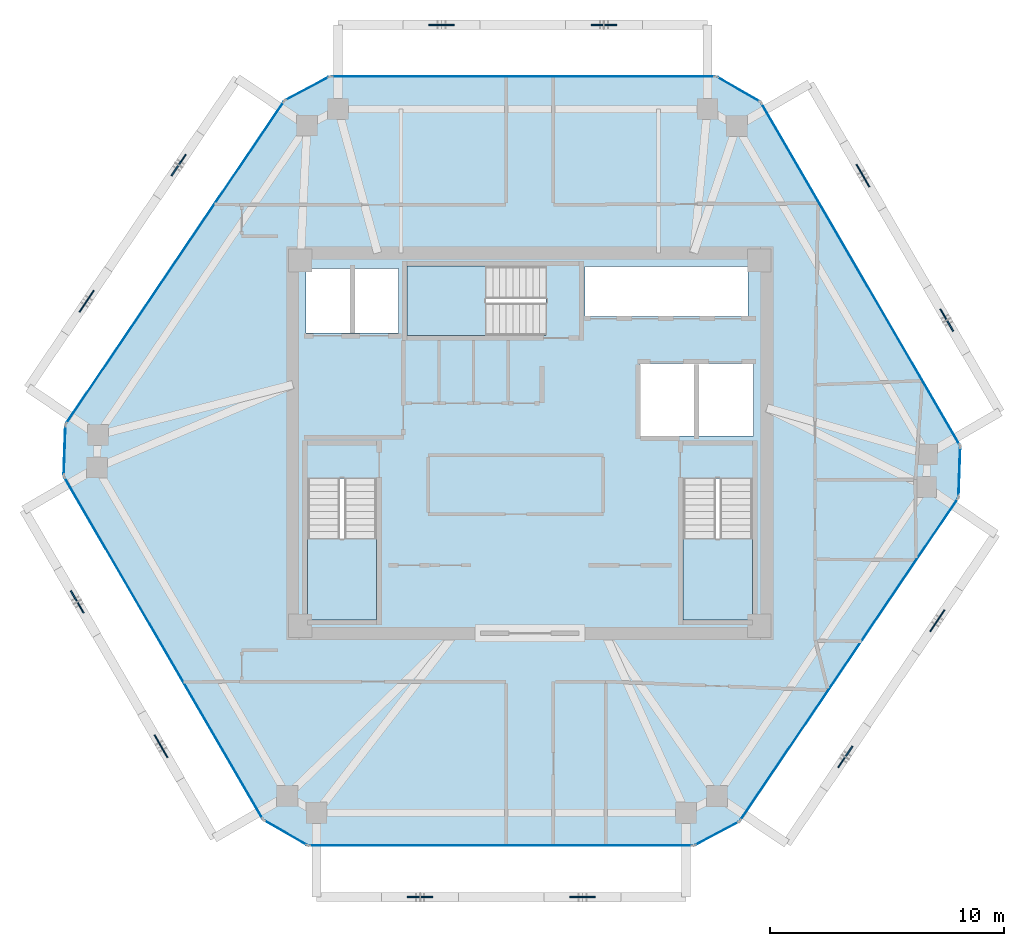
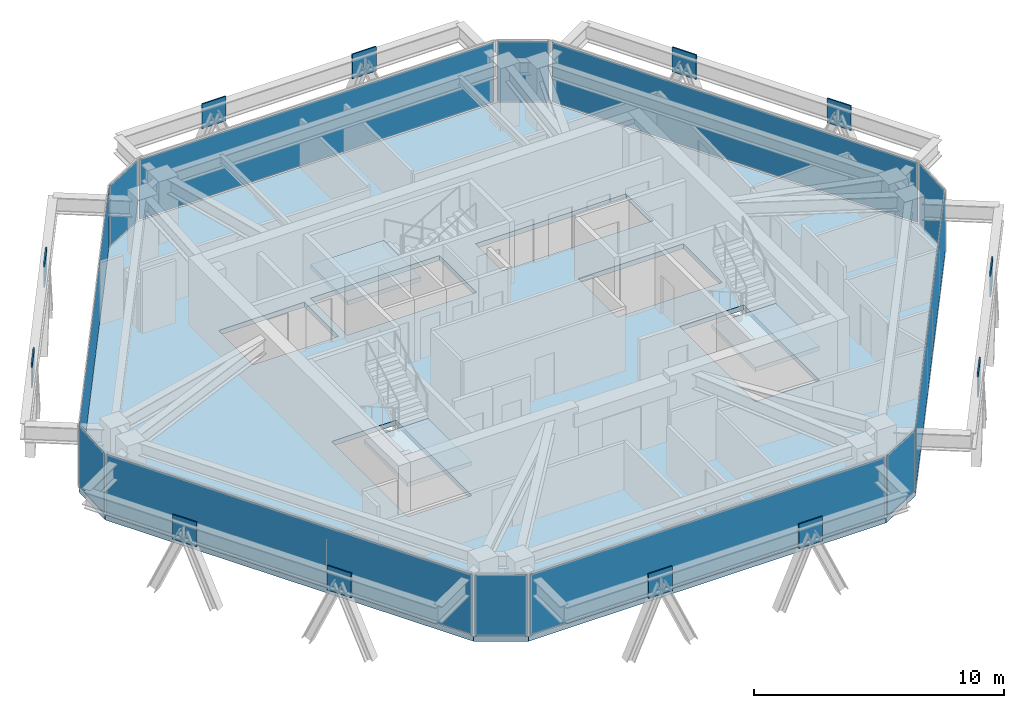
# One storey, part 7 of 12: 24 plates, 4 slabs, 15 elements without a shape of their own.
"""IFC4 building model written with IfcOpenShell, lengths in metres."""

from ifc_helpers import new_model, si_unit, direction, frame, origin, origin_2d, place, context, subcontext, project, spatial, polyline, rectangle, outline, extrude, source, transform, mapped, material, layer, layer_set, type_object, type_shapes, element, aggregate, save


model = new_model("IFC4")

# Units and contexts
model_context = context("Model", 3, precision=1e-05, world=origin(), true_north=direction((0.0, 1.0)))
body_context = subcontext(model_context, "Body", "Model", "MODEL_VIEW")
ifc_project = project(units=[si_unit("LENGTHUNIT", "METRE"), si_unit("AREAUNIT", "SQUARE_METRE"), si_unit("VOLUMEUNIT", "CUBIC_METRE"), si_unit("PLANEANGLEUNIT", "RADIAN"), si_unit("MASSUNIT", "GRAM", prefix="KILO")], contexts=[model_context])

# Site, building, storey
site_placement = place(None, origin())
site = spatial("IfcSite", under=ifc_project, at=site_placement, CompositionType="ELEMENT")
building_placement = place(site_placement, origin())
building = spatial("IfcBuilding", under=site, at=building_placement, Name="Durnholm Broadcast Tower", CompositionType="ELEMENT")
storey_placement = place(building_placement, frame((0.0, 0.0, 221.60009765625)))
storey = spatial("IfcBuildingStorey", under=building, at=storey_placement, Name="L61", CompositionType="ELEMENT", Elevation=221.60009765625)

# Slab
ifc_material_1 = material(Name="Concrete C50/60", Category="concrete")
ifc_layer_1 = layer(ifc_material_1, 0.239990234375)
ifc_layer_set_1 = layer_set([ifc_layer_1], Name="Concrete C50/60")
slab_type_1 = type_object("IfcSlabType", Name="SLAB-FLR-240", PredefinedType="FLOOR", material=ifc_layer_set_1)
slab_1_placement = place(storey_placement, frame((0.0, 0.0, -0.239990234375)))
element("IfcSlab", 1, at=slab_1_placement, inside=storey, type_object=slab_type_1, Name="L61 structural floor slab", PredefinedType="FLOOR", context=body_context, shape_type="SweptSolid", body=[
    extrude(outline(polyline([(-11.384521484375, -16.088134765625), (-9.47802734375, -17.18603515625), (7.012451171875, -17.18603515625), (8.955322265625, -16.154296875), (18.307861328125, -2.3203125), (18.38330078125, -0.12158203125), (9.8603515625, 14.564208984375), (7.9541015625, 15.662109375), (-8.536376953125, 15.662109375), (-10.4794921875, 14.630126953125), (-19.831787109375, 0.79638671875), (-19.9072265625, -1.40234375), (-11.384521484375, -16.088134765625)]), holes=[polyline([(-6.5400390625, -1.5), (-9.5, -1.5), (-9.5, -7.550048828125), (-6.5400390625, -7.550048828125), (-6.5400390625, -1.5)]), polyline([(9.5, -7.550048828125), (9.5, -1.5), (6.5400390625, -1.5), (6.5400390625, -7.550048828125), (9.5, -7.550048828125)]), polyline([(9.550048828125, 3.39990234375), (4.699951171875, 3.39990234375), (4.699951171875, 0.300048828125), (9.550048828125, 0.300048828125), (9.550048828125, 3.39990234375)]), polyline([(-9.550048828125, 7.449951171875), (-9.550048828125, 4.699951171875), (-5.60009765625, 4.699951171875), (-5.60009765625, 7.449951171875), (-9.550048828125, 7.449951171875)]), polyline([(-5.25, 4.60009765625), (0.699951171875, 4.60009765625), (0.699951171875, 7.56005859375), (-5.25, 7.56005859375), (-5.25, 4.60009765625)]), polyline([(9.31005859375, 7.550048828125), (2.35009765625, 7.550048828125), (2.35009765625, 5.39990234375), (9.31005859375, 5.39990234375), (9.31005859375, 7.550048828125)])]), origin(), (0.0, 0.0, 1.0), 0.239990234375),
])

# Stair, slab
stair_type = type_object("IfcStairType", Name="STAIR-DL-20R1650", PredefinedType="HALF_TURN_STAIR", material=ifc_material_1)
stair_1_placement = place(storey_placement, origin())
stair_1 = element("IfcStair", 2, at=stair_1_placement, inside=storey, type_object=stair_type, Name="L61 ST-1", PredefinedType="HALF_TURN_STAIR")
ifc_layer_2 = layer(ifc_material_1, 0.199951171875)
ifc_layer_set_2 = layer_set([ifc_layer_2], Name="Concrete C50/60")
slab_type_2 = type_object("IfcSlabType", Name="SLAB-LND-200", PredefinedType="LANDING", material=ifc_layer_set_2)
slab_2_placement = place(storey_placement, frame((0.0, 0.0, 1.449951171875)))
slab_2 = element("IfcSlab", 3, at=slab_2_placement, type_object=slab_type_2, Name="ST-1 landing 1", PredefinedType="LANDING", context=body_context, shape_type="SweptSolid", body=[
    extrude(outline(polyline([(-9.5, -4.06494140625), (-9.5, -7.550048828125), (-6.5400390625, -7.550048828125), (-6.5400390625, -4.06494140625), (-9.5, -4.06494140625)])), origin(), (0.0, 0.0, 1.0), 0.199951171875),
])
aggregate(stair_1, [slab_2])

stair_2_placement = place(storey_placement, origin())
stair_2 = element("IfcStair", 4, at=stair_2_placement, inside=storey, type_object=stair_type, Name="L61 ST-2", PredefinedType="HALF_TURN_STAIR")
slab_3_placement = place(storey_placement, frame((0.0, 0.0, 1.449951171875)))
slab_3 = element("IfcSlab", 5, at=slab_3_placement, type_object=slab_type_2, Name="ST-2 landing 1", PredefinedType="LANDING", context=body_context, shape_type="SweptSolid", body=[
    extrude(outline(polyline([(6.5400390625, -4.06494140625), (6.5400390625, -7.550048828125), (9.5, -7.550048828125), (9.5, -4.06494140625), (6.5400390625, -4.06494140625)])), origin(), (0.0, 0.0, 1.0), 0.199951171875),
])
aggregate(stair_2, [slab_3])

stair_3_placement = place(storey_placement, origin())
stair_3 = element("IfcStair", 6, at=stair_3_placement, inside=storey, type_object=stair_type, Name="L61 ST-3", PredefinedType="HALF_TURN_STAIR")
slab_4_placement = place(storey_placement, frame((0.0, 0.0, 1.449951171875)))
slab_4 = element("IfcSlab", 7, at=slab_4_placement, type_object=slab_type_2, Name="ST-3 landing 1", PredefinedType="LANDING", context=body_context, shape_type="SweptSolid", body=[
    extrude(outline(polyline([(-1.864990234375, 7.56005859375), (-5.25, 7.56005859375), (-5.25, 4.60009765625), (-1.864990234375, 4.60009765625), (-1.864990234375, 7.56005859375)])), origin(), (0.0, 0.0, 1.0), 0.199951171875),
])
aggregate(stair_3, [slab_4])

# Plates
ifc_material_2 = material(Name="Steel ASTM A572 Grade 50", Category="steel")
ifc_layer_3 = layer(ifc_material_2, 0.06005859375)
ifc_layer_set_3 = layer_set([ifc_layer_3], Name="Steel ASTM A572 Grade 50")
plate_type_1 = type_object("IfcPlateType", Name="PLT-KN10-GUS", PredefinedType="USERDEFINED", material=ifc_layer_set_3)
shared_shape_1 = source(origin(), body_context, "Body", "SweptSolid", [
    extrude(rectangle(XDim=1.10009765625, YDim=0.06005859375, at=origin_2d()), origin(), (0.0, 0.0, 1.0), 1.199951171875),
])
type_shapes(plate_type_1, [shared_shape_1])
for number, where, z_axis, x_axis, name in (
    (8, (-4.688720703125, -19.385986328125, 1.70849609375), (0.0, 0.0, 1.0), (1.0, 0.0, 0.0), "L61 welded diagrid node gusset plate KN10 F1"),
    (9, (2.248779296875, -19.385986328125, 1.70849609375), (0.0, 0.0, 1.0), (1.0, 0.0, 0.0), "L61 welded diagrid node gusset plate KN10 F1"),
    (10, (13.47412109375, -13.398193359375, 1.70849609375), (0.0, 0.0, 1.0), (0.560060762816, 0.828451532652, 0.0), "L61 welded diagrid node gusset plate KN10 F2"),
    (11, (17.404052734375, -7.585205078125, 1.70849609375), (0.0, 0.0, 1.0), (0.560060762816, 0.828451532652, 0.0), "L61 welded diagrid node gusset plate KN10 F2"),
    (12, (17.806640625, 5.2548828125, 1.70849609375), (0.0, 0.0, 1.0), (-0.501963660617, 0.864888711581, 0.0), "L61 welded diagrid node gusset plate KN10 F3"),
    (13, (14.228271484375, 11.4208984375, 1.70849609375), (0.0, 0.0, 1.0), (-0.501963660617, 0.864888711581, 0.0), "L61 welded diagrid node gusset plate KN10 F3"),
    (14, (3.164794921875, 17.862060546875, 1.70849609375), (0.0, 0.0, 1.0), (-1.0, 0.0, 0.0), "L61 welded diagrid node gusset plate KN10 F4"),
    (15, (-3.772705078125, 17.862060546875, 1.70849609375), (0.0, 0.0, 1.0), (-1.0, 0.0, 0.0), "L61 welded diagrid node gusset plate KN10 F4"),
    (16, (-14.998046875, 11.874267578125, 1.70849609375), (0.0, 0.0, 1.0), (-0.560060762816, -0.828451532652, 0.0), "L61 welded diagrid node gusset plate KN10 F5"),
    (17, (-18.927978515625, 6.061279296875, 1.70849609375), (0.0, 0.0, 1.0), (-0.560060762816, -0.828451532652, 0.0), "L61 welded diagrid node gusset plate KN10 F5"),
    (18, (-19.330810546875, -6.77880859375, 1.70849609375), (0.0, 0.0, 1.0), (0.501963660617, -0.864888711581, 0.0), "L61 welded diagrid node gusset plate KN10 F6"),
    (19, (-15.752197265625, -12.94482421875, 1.70849609375), (0.0, 0.0, 1.0), (0.501963660617, -0.864888711581, 0.0), "L61 welded diagrid node gusset plate KN10 F6"),
):
    element("IfcPlate", number, at=place(storey_placement, frame(where, z_axis=z_axis, x_axis=x_axis)), inside=storey, type_object=plate_type_1, Name=name, ObjectType="GUSSET_PLATE", PredefinedType="USERDEFINED", context=body_context, shape_type="MappedRepresentation", body=[
        mapped(shared_shape_1, transform((0.0, 0.0, 0.0), x_axis=(1.0, 0.0, 0.0), y_axis=(0.0, 1.0, 0.0), z_axis=(0.0, 0.0, 1.0), scale=1.0)),
    ])

# Curtain wall, plate
ifc_material_3 = material(Name="Aluminium and Solar Control IGU", Category="aluminium")
ifc_layer_4 = layer(ifc_material_3, 0.1650390625)
ifc_layer_set_4 = layer_set([ifc_layer_4], Name="Aluminium and Solar Control IGU")
curtain_wall_type_1 = type_object("IfcCurtainWallType", Name="CW-SYS-5", PredefinedType="NOTDEFINED", material=ifc_layer_set_4)
curtain_wall_1_placement = place(storey_placement, origin())
curtain_wall_1 = element("IfcCurtainWall", 20, at=curtain_wall_1_placement, inside=storey, type_object=curtain_wall_type_1, Name="L61 curtain wall CW-CORNER CW-L61-CRN-01", PredefinedType="NOTDEFINED")
ifc_material_4 = material(Name="Low-E Laminated Insulating Glass", Category="glass")
ifc_layer_5 = layer(ifc_material_4, 0.030029296875)
ifc_layer_set_5 = layer_set([ifc_layer_5], Name="Low-E Laminated Insulating Glass")
plate_type_2 = type_object("IfcPlateType", Name="CW-SYS-5-PNL", PredefinedType="CURTAIN_PANEL", material=ifc_layer_set_5)
shared_shape_2 = source(origin(), body_context, "Body", "SweptSolid", [
    extrude(rectangle(XDim=2.070068359375, YDim=0.030029296875, at=origin_2d()), origin(), (0.0, 0.0, 1.0), 2.929931640625),
])
plate_1_placement = place(storey_placement, frame((-19.86962890625, -0.302978515625, 0.06494140625), z_axis=(0.0, 0.0, 1.0), x_axis=(0.034318245849, 0.999410955514, 0.0)))
plate_1 = element("IfcPlate", 21, at=plate_1_placement, type_object=plate_type_2, Name="CW-CORNER panel 1.1", PredefinedType="CURTAIN_PANEL", context=body_context, shape_type="MappedRepresentation", body=[
    mapped(shared_shape_2, transform((0.0, 0.0, 0.0), x_axis=(1.0, 0.0, 0.0), y_axis=(0.0, 1.0, 0.0), z_axis=(0.0, 0.0, 1.0), scale=1.0)),
])
aggregate(curtain_wall_1, [plate_1])

curtain_wall_2_placement = place(storey_placement, origin())
curtain_wall_2 = element("IfcCurtainWall", 22, at=curtain_wall_2_placement, inside=storey, type_object=curtain_wall_type_1, Name="L61 curtain wall CW-CORNER CW-L61-CRN-03", PredefinedType="NOTDEFINED")
plate_2_placement = place(storey_placement, frame((-9.5078125, 15.14599609375, 0.06494140625), z_axis=(0.0, 0.0, 1.0), x_axis=(0.883194569853, 0.469006771575, 0.0)))
plate_2 = element("IfcPlate", 23, at=plate_2_placement, type_object=plate_type_2, Name="CW-CORNER panel 1.1", PredefinedType="CURTAIN_PANEL", context=body_context, shape_type="MappedRepresentation", body=[
    mapped(shared_shape_2, transform((0.0, 0.0, 0.0), x_axis=(1.0, 0.0, 0.0), y_axis=(0.0, 1.0, 0.0), z_axis=(0.0, 0.0, 1.0), scale=1.0)),
])
aggregate(curtain_wall_2, [plate_2])

curtain_wall_3_placement = place(storey_placement, origin())
curtain_wall_3 = element("IfcCurtainWall", 24, at=curtain_wall_3_placement, inside=storey, type_object=curtain_wall_type_1, Name="L61 curtain wall CW-CORNER CW-L61-CRN-07", PredefinedType="NOTDEFINED")
plate_3_placement = place(storey_placement, frame((18.345458984375, -1.220947265625, 0.06494140625), z_axis=(0.0, 0.0, 1.0), x_axis=(-0.034318245849, -0.999410955514, 0.0)))
plate_3 = element("IfcPlate", 25, at=plate_3_placement, type_object=plate_type_2, Name="CW-CORNER panel 1.1", PredefinedType="CURTAIN_PANEL", context=body_context, shape_type="MappedRepresentation", body=[
    mapped(shared_shape_2, transform((0.0, 0.0, 0.0), x_axis=(1.0, 0.0, 0.0), y_axis=(0.0, 1.0, 0.0), z_axis=(0.0, 0.0, 1.0), scale=1.0)),
])
aggregate(curtain_wall_3, [plate_3])

curtain_wall_4_placement = place(storey_placement, origin())
curtain_wall_4 = element("IfcCurtainWall", 26, at=curtain_wall_4_placement, inside=storey, type_object=curtain_wall_type_1, Name="L61 curtain wall CW-CORNER CW-L61-CRN-09", PredefinedType="NOTDEFINED")
plate_4_placement = place(storey_placement, frame((7.98388671875, -16.670166015625, 0.06494140625), z_axis=(0.0, 0.0, 1.0), x_axis=(-0.883194569853, -0.469006771575, 0.0)))
plate_4 = element("IfcPlate", 27, at=plate_4_placement, type_object=plate_type_2, Name="CW-CORNER panel 1.1", PredefinedType="CURTAIN_PANEL", context=body_context, shape_type="MappedRepresentation", body=[
    mapped(shared_shape_2, transform((0.0, 0.0, 0.0), x_axis=(1.0, 0.0, 0.0), y_axis=(0.0, 1.0, 0.0), z_axis=(0.0, 0.0, 1.0), scale=1.0)),
])
aggregate(curtain_wall_4, [plate_4])

ifc_layer_6 = layer(ifc_material_3, 0.18994140625)
ifc_layer_set_6 = layer_set([ifc_layer_6], Name="Aluminium and Solar Control IGU")
curtain_wall_type_2 = type_object("IfcCurtainWallType", Name="CW-SYS-4", PredefinedType="NOTDEFINED", material=ifc_layer_set_6)
curtain_wall_5_placement = place(storey_placement, origin())
curtain_wall_5 = element("IfcCurtainWall", 28, at=curtain_wall_5_placement, inside=storey, type_object=curtain_wall_type_2, Name="L61 curtain wall CW-Z34-VIS CW-L61-F02", PredefinedType="NOTDEFINED")
ifc_layer_7 = layer(ifc_material_4, 0.033935546875)
ifc_layer_set_7 = layer_set([ifc_layer_7], Name="Low-E Laminated Insulating Glass")
plate_type_3 = type_object("IfcPlateType", Name="CW-SYS-4-PNL", PredefinedType="CURTAIN_PANEL", material=ifc_layer_set_7)
shared_shape_3 = source(origin(), body_context, "Body", "SweptSolid", [
    extrude(rectangle(XDim=16.55859375, YDim=0.033935546875, at=origin_2d()), origin(), (0.0, 0.0, 1.0), 2.919921875),
])
plate_5_placement = place(storey_placement, frame((-15.155517578125, 7.71337890625, 0.06982421875), z_axis=(0.0, 0.0, 1.0), x_axis=(0.560072745753, 0.828443431662, 0.0)))
plate_5 = element("IfcPlate", 29, at=plate_5_placement, type_object=plate_type_3, Name="CW-Z34-VIS panel 1.1", PredefinedType="CURTAIN_PANEL", context=body_context, shape_type="MappedRepresentation", body=[
    mapped(shared_shape_3, transform((0.0, 0.0, 0.0), x_axis=(1.0, 0.0, 0.0), y_axis=(0.0, 1.0, 0.0), z_axis=(0.0, 0.0, 1.0), scale=1.0)),
])
aggregate(curtain_wall_5, [plate_5])

curtain_wall_6_placement = place(storey_placement, origin())
curtain_wall_6 = element("IfcCurtainWall", 30, at=curtain_wall_6_placement, inside=storey, type_object=curtain_wall_type_2, Name="L61 curtain wall CW-Z34-VIS CW-L61-F08", PredefinedType="NOTDEFINED")
plate_6_placement = place(storey_placement, frame((13.631591796875, -9.2373046875, 0.06982421875), z_axis=(0.0, 0.0, 1.0), x_axis=(-0.560072745753, -0.828443431662, 0.0)))
plate_6 = element("IfcPlate", 31, at=plate_6_placement, type_object=plate_type_3, Name="CW-Z34-VIS panel 1.1", PredefinedType="CURTAIN_PANEL", context=body_context, shape_type="MappedRepresentation", body=[
    mapped(shared_shape_3, transform((0.0, 0.0, 0.0), x_axis=(1.0, 0.0, 0.0), y_axis=(0.0, 1.0, 0.0), z_axis=(0.0, 0.0, 1.0), scale=1.0)),
])
aggregate(curtain_wall_6, [plate_6])

curtain_wall_7_placement = place(storey_placement, origin())
curtain_wall_7 = element("IfcCurtainWall", 32, at=curtain_wall_7_placement, inside=storey, type_object=curtain_wall_type_2, Name="L61 curtain wall CW-Z34-VIS CW-L61-F04", PredefinedType="NOTDEFINED")
shared_shape_4 = source(origin(), body_context, "Body", "SweptSolid", [
    extrude(rectangle(XDim=16.350341796875, YDim=0.033935546875, at=origin_2d()), origin(), (0.0, 0.0, 1.0), 2.919921875),
])
plate_7_placement = place(storey_placement, frame((-0.291259765625, 15.662109375, 0.06982421875), z_axis=(0.0, 0.0, 1.0), x_axis=(1.0, 0.0, 0.0)))
plate_7 = element("IfcPlate", 33, at=plate_7_placement, type_object=plate_type_3, Name="CW-Z34-VIS panel 1.1", PredefinedType="CURTAIN_PANEL", context=body_context, shape_type="MappedRepresentation", body=[
    mapped(shared_shape_4, transform((0.0, 0.0, 0.0), x_axis=(1.0, 0.0, 0.0), y_axis=(0.0, 1.0, 0.0), z_axis=(0.0, 0.0, 1.0), scale=1.0)),
])
aggregate(curtain_wall_7, [plate_7])

curtain_wall_8_placement = place(storey_placement, origin())
curtain_wall_8 = element("IfcCurtainWall", 34, at=curtain_wall_8_placement, inside=storey, type_object=curtain_wall_type_2, Name="L61 curtain wall CW-Z34-VIS CW-L61-F10", PredefinedType="NOTDEFINED")
plate_8_placement = place(storey_placement, frame((-1.23291015625, -17.18603515625, 0.06982421875), z_axis=(0.0, 0.0, 1.0), x_axis=(-1.0, 0.0, 0.0)))
plate_8 = element("IfcPlate", 35, at=plate_8_placement, type_object=plate_type_3, Name="CW-Z34-VIS panel 1.1", PredefinedType="CURTAIN_PANEL", context=body_context, shape_type="MappedRepresentation", body=[
    mapped(shared_shape_4, transform((0.0, 0.0, 0.0), x_axis=(1.0, 0.0, 0.0), y_axis=(0.0, 1.0, 0.0), z_axis=(0.0, 0.0, 1.0), scale=1.0)),
])
aggregate(curtain_wall_8, [plate_8])

curtain_wall_9_placement = place(storey_placement, origin())
curtain_wall_9 = element("IfcCurtainWall", 36, at=curtain_wall_9_placement, inside=storey, type_object=curtain_wall_type_1, Name="L61 curtain wall CW-CORNER CW-L61-CRN-05", PredefinedType="NOTDEFINED")
shared_shape_5 = source(origin(), body_context, "Body", "SweptSolid", [
    extrude(rectangle(XDim=2.06982421875, YDim=0.030029296875, at=origin_2d()), origin(), (0.0, 0.0, 1.0), 2.929931640625),
])
type_shapes(plate_type_2, [shared_shape_2, shared_shape_5])
plate_9_placement = place(storey_placement, frame((8.9072265625, 15.113037109375, 0.06494140625), z_axis=(0.0, 0.0, 1.0), x_axis=(0.866568249707, -0.499058582333, 0.0)))
plate_9 = element("IfcPlate", 37, at=plate_9_placement, type_object=plate_type_2, Name="CW-CORNER panel 1.1", PredefinedType="CURTAIN_PANEL", context=body_context, shape_type="MappedRepresentation", body=[
    mapped(shared_shape_5, transform((0.0, 0.0, 0.0), x_axis=(1.0, 0.0, 0.0), y_axis=(0.0, 1.0, 0.0), z_axis=(0.0, 0.0, 1.0), scale=1.0)),
])
aggregate(curtain_wall_9, [plate_9])

curtain_wall_10_placement = place(storey_placement, origin())
curtain_wall_10 = element("IfcCurtainWall", 38, at=curtain_wall_10_placement, inside=storey, type_object=curtain_wall_type_1, Name="L61 curtain wall CW-CORNER CW-L61-CRN-11", PredefinedType="NOTDEFINED")
plate_10_placement = place(storey_placement, frame((-10.43115234375, -16.636962890625, 0.06494140625), z_axis=(0.0, 0.0, 1.0), x_axis=(-0.866568249707, 0.499058582333, 0.0)))
plate_10 = element("IfcPlate", 39, at=plate_10_placement, type_object=plate_type_2, Name="CW-CORNER panel 1.1", PredefinedType="CURTAIN_PANEL", context=body_context, shape_type="MappedRepresentation", body=[
    mapped(shared_shape_5, transform((0.0, 0.0, 0.0), x_axis=(1.0, 0.0, 0.0), y_axis=(0.0, 1.0, 0.0), z_axis=(0.0, 0.0, 1.0), scale=1.0)),
])
aggregate(curtain_wall_10, [plate_10])

curtain_wall_11_placement = place(storey_placement, origin())
curtain_wall_11 = element("IfcCurtainWall", 40, at=curtain_wall_11_placement, inside=storey, type_object=curtain_wall_type_2, Name="L61 curtain wall CW-Z34-VIS CW-L61-F06", PredefinedType="NOTDEFINED")
shared_shape_6 = source(origin(), body_context, "Body", "SweptSolid", [
    extrude(rectangle(XDim=16.83984375, YDim=0.033935546875, at=origin_2d()), origin(), (0.0, 0.0, 1.0), 2.919921875),
])
type_shapes(plate_type_3, [shared_shape_3, shared_shape_4, shared_shape_6])
plate_11_placement = place(storey_placement, frame((14.121826171875, 7.22119140625, 0.06982421875), z_axis=(0.0, 0.0, 1.0), x_axis=(0.50194441023, -0.864899883824, 0.0)))
plate_11 = element("IfcPlate", 41, at=plate_11_placement, type_object=plate_type_3, Name="CW-Z34-VIS panel 1.1", PredefinedType="CURTAIN_PANEL", context=body_context, shape_type="MappedRepresentation", body=[
    mapped(shared_shape_6, transform((0.0, 0.0, 0.0), x_axis=(1.0, 0.0, 0.0), y_axis=(0.0, 1.0, 0.0), z_axis=(0.0, 0.0, 1.0), scale=1.0)),
])
aggregate(curtain_wall_11, [plate_11])

curtain_wall_12_placement = place(storey_placement, origin())
curtain_wall_12 = element("IfcCurtainWall", 42, at=curtain_wall_12_placement, inside=storey, type_object=curtain_wall_type_2, Name="L61 curtain wall CW-Z34-VIS CW-L61-F12", PredefinedType="NOTDEFINED")
plate_12_placement = place(storey_placement, frame((-15.645751953125, -8.7451171875, 0.06982421875), z_axis=(0.0, 0.0, 1.0), x_axis=(-0.50194441023, 0.864899883824, 0.0)))
plate_12 = element("IfcPlate", 43, at=plate_12_placement, type_object=plate_type_3, Name="CW-Z34-VIS panel 1.1", PredefinedType="CURTAIN_PANEL", context=body_context, shape_type="MappedRepresentation", body=[
    mapped(shared_shape_6, transform((0.0, 0.0, 0.0), x_axis=(1.0, 0.0, 0.0), y_axis=(0.0, 1.0, 0.0), z_axis=(0.0, 0.0, 1.0), scale=1.0)),
])
aggregate(curtain_wall_12, [plate_12])

save(model, "model.ifc")
